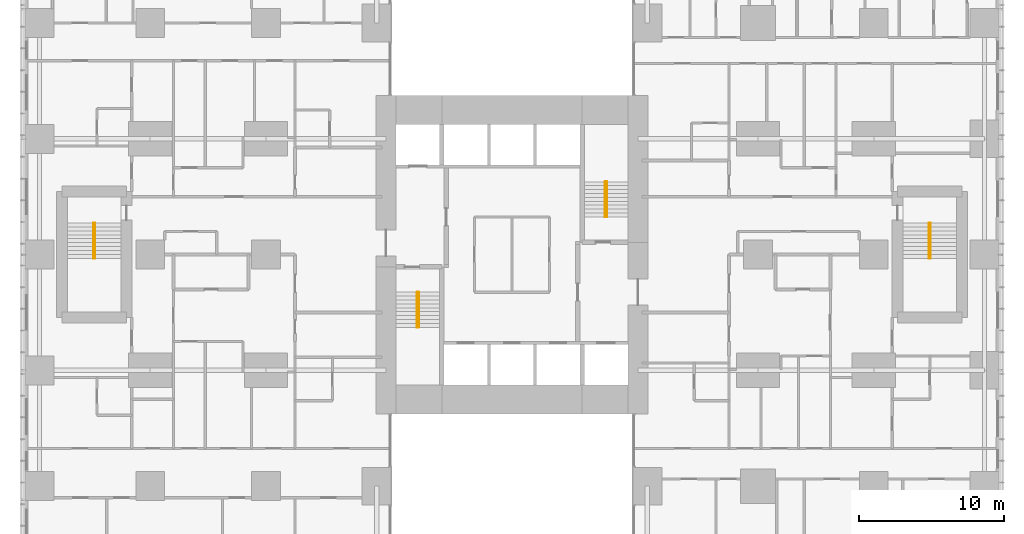
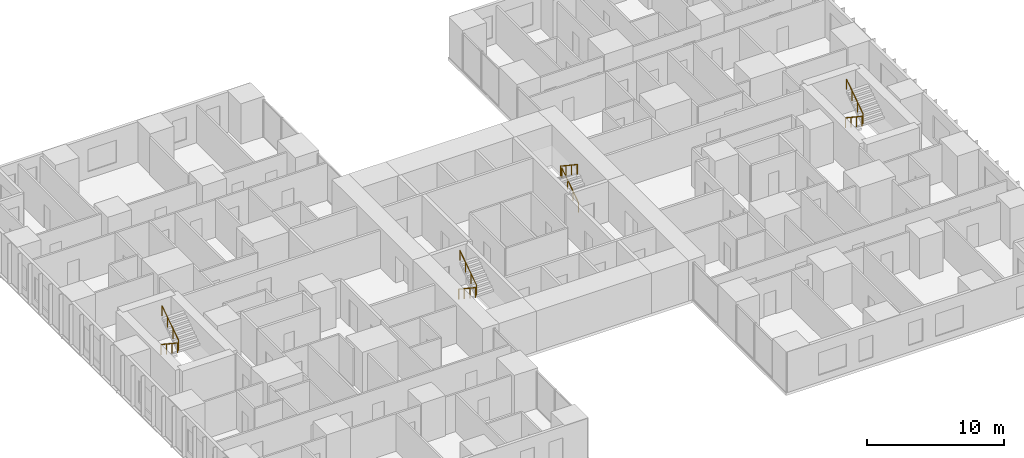
# One storey, part 21 of 21: 8 railings.
"""IFC4 building model written with IfcOpenShell, lengths in metres."""

from ifc_helpers import new_model, si_unit, direction, frame, origin, origin_2d, place, context, subcontext, project, spatial, circle, extrude, material, type_object, element, save


model = new_model("IFC4")

# Units and contexts
model_context = context("Model", 3, precision=1e-05, world=origin(), true_north=direction((0.0, 1.0)))
body_context = subcontext(model_context, "Body", "Model", "MODEL_VIEW")
ifc_project = project(units=[si_unit("LENGTHUNIT", "METRE"), si_unit("AREAUNIT", "SQUARE_METRE"), si_unit("VOLUMEUNIT", "CUBIC_METRE"), si_unit("PLANEANGLEUNIT", "RADIAN"), si_unit("MASSUNIT", "GRAM", prefix="KILO")], contexts=[model_context])

# Site, building, storey
site_placement = place(None, origin())
site = spatial("IfcSite", under=ifc_project, at=site_placement, CompositionType="ELEMENT")
building_placement = place(site_placement, origin())
building = spatial("IfcBuilding", under=site, at=building_placement, Name="Cleftline Residences", CompositionType="ELEMENT")
storey_placement = place(building_placement, frame((0.0, 0.0, 65.60009765625)))
storey = spatial("IfcBuildingStorey", under=building, at=storey_placement, Name="L16", CompositionType="ELEMENT", Elevation=65.60009765625)

# Railings
ifc_material = material(Name="Stainless steel", Category="steel")
railing_type = type_object("IfcRailingType", Name="HANDRAIL 900", PredefinedType="HANDRAIL", material=ifc_material)
railing_1_placement = place(storey_placement, frame((26.449951171875, 21.39990234375, 0.179931640625)))
element("IfcRailing", 1, at=railing_1_placement, inside=storey, type_object=railing_type, Name="Stair handrail", PredefinedType="HANDRAIL", context=body_context, shape_type="SweptSolid", body=[
    extrude(circle(Radius=0.02392578125, at=origin_2d()), frame((0.0, 0.0, 0.8759765625), z_axis=(0.0, -0.832063155534, 0.554680903946), x_axis=(1.0, 0.0, 0.0)), (0.0, 0.0, 1.0), 2.92041015625),
    extrude(circle(Radius=0.02099609375, at=origin_2d()), origin(), (0.0, 0.0, 1.0), 0.851806640625),
    extrude(circle(Radius=0.02099609375, at=origin_2d()), frame((0.0, -0.81005859375, 0.5400390625)), (0.0, 0.0, 1.0), 0.851806640625),
    extrude(circle(Radius=0.02099609375, at=origin_2d()), frame((0.0, -1.619873046875, 1.079833984375)), (0.0, 0.0, 1.0), 0.851806640625),
    extrude(circle(Radius=0.02099609375, at=origin_2d()), frame((0.0, -2.429931640625, 1.619873046875)), (0.0, 0.0, 1.0), 0.851806640625),
])
for number, where, name in (
    (2, (26.550048828125, 18.969970703125, 1.97998046875), "Stair handrail"),
    (3, (39.550048828125, 26.60009765625, 0.179931640625), "Stair handrail"),
):
    element("IfcRailing", number, at=place(storey_placement, frame(where)), inside=storey, type_object=railing_type, Name=name, PredefinedType="HANDRAIL", context=body_context, shape_type="SweptSolid", body=[
        extrude(circle(Radius=0.02392578125, at=origin_2d()), frame((0.0, 0.0, 0.8759765625), z_axis=(0.0, 0.832063155534, 0.554680903946), x_axis=(-1.0, 0.0, 0.0)), (0.0, 0.0, 1.0), 2.92041015625),
        extrude(circle(Radius=0.02099609375, at=origin_2d()), origin(), (0.0, 0.0, 1.0), 0.851806640625),
        extrude(circle(Radius=0.02099609375, at=origin_2d()), frame((0.0, 0.81005859375, 0.5400390625)), (0.0, 0.0, 1.0), 0.851806640625),
        extrude(circle(Radius=0.02099609375, at=origin_2d()), frame((0.0, 1.619873046875, 1.079833984375)), (0.0, 0.0, 1.0), 0.851806640625),
        extrude(circle(Radius=0.02099609375, at=origin_2d()), frame((0.0, 2.429931640625, 1.619873046875)), (0.0, 0.0, 1.0), 0.851806640625),
    ])
for number, where, name in (
    (4, (39.449951171875, 29.030029296875, 1.97998046875), "Stair handrail"),
    (5, (61.824951171875, 26.175048828125, 0.179931640625), "Stair handrail"),
):
    element("IfcRailing", number, at=place(storey_placement, frame(where)), inside=storey, type_object=railing_type, Name=name, PredefinedType="HANDRAIL", context=body_context, shape_type="SweptSolid", body=[
        extrude(circle(Radius=0.02392578125, at=origin_2d()), frame((0.0, 0.0, 0.8759765625), z_axis=(0.0, -0.832063155534, 0.554680903946), x_axis=(1.0, 0.0, 0.0)), (0.0, 0.0, 1.0), 2.92041015625),
        extrude(circle(Radius=0.02099609375, at=origin_2d()), origin(), (0.0, 0.0, 1.0), 0.851806640625),
        extrude(circle(Radius=0.02099609375, at=origin_2d()), frame((0.0, -0.81005859375, 0.5400390625)), (0.0, 0.0, 1.0), 0.851806640625),
        extrude(circle(Radius=0.02099609375, at=origin_2d()), frame((0.0, -1.619873046875, 1.079833984375)), (0.0, 0.0, 1.0), 0.851806640625),
        extrude(circle(Radius=0.02099609375, at=origin_2d()), frame((0.0, -2.429931640625, 1.619873046875)), (0.0, 0.0, 1.0), 0.851806640625),
    ])
railing_2_placement = place(storey_placement, frame((61.925048828125, 23.7451171875, 1.97998046875)))
element("IfcRailing", 6, at=railing_2_placement, inside=storey, type_object=railing_type, Name="Stair handrail", PredefinedType="HANDRAIL", context=body_context, shape_type="SweptSolid", body=[
    extrude(circle(Radius=0.02392578125, at=origin_2d()), frame((0.0, 0.0, 0.8759765625), z_axis=(0.0, 0.832063155534, 0.554680903946), x_axis=(-1.0, 0.0, 0.0)), (0.0, 0.0, 1.0), 2.92041015625),
    extrude(circle(Radius=0.02099609375, at=origin_2d()), origin(), (0.0, 0.0, 1.0), 0.851806640625),
    extrude(circle(Radius=0.02099609375, at=origin_2d()), frame((0.0, 0.81005859375, 0.5400390625)), (0.0, 0.0, 1.0), 0.851806640625),
    extrude(circle(Radius=0.02099609375, at=origin_2d()), frame((0.0, 1.619873046875, 1.079833984375)), (0.0, 0.0, 1.0), 0.851806640625),
    extrude(circle(Radius=0.02099609375, at=origin_2d()), frame((0.0, 2.429931640625, 1.619873046875)), (0.0, 0.0, 1.0), 0.851806640625),
])
railing_3_placement = place(storey_placement, frame((4.074951171875, 26.175048828125, 0.179931640625)))
element("IfcRailing", 7, at=railing_3_placement, inside=storey, type_object=railing_type, Name="Stair handrail", PredefinedType="HANDRAIL", context=body_context, shape_type="SweptSolid", body=[
    extrude(circle(Radius=0.02392578125, at=origin_2d()), frame((0.0, 0.0, 0.8759765625), z_axis=(0.0, -0.832063155534, 0.554680903946), x_axis=(1.0, 0.0, 0.0)), (0.0, 0.0, 1.0), 2.92041015625),
    extrude(circle(Radius=0.02099609375, at=origin_2d()), origin(), (0.0, 0.0, 1.0), 0.851806640625),
    extrude(circle(Radius=0.02099609375, at=origin_2d()), frame((0.0, -0.81005859375, 0.5400390625)), (0.0, 0.0, 1.0), 0.851806640625),
    extrude(circle(Radius=0.02099609375, at=origin_2d()), frame((0.0, -1.619873046875, 1.079833984375)), (0.0, 0.0, 1.0), 0.851806640625),
    extrude(circle(Radius=0.02099609375, at=origin_2d()), frame((0.0, -2.429931640625, 1.619873046875)), (0.0, 0.0, 1.0), 0.851806640625),
])
railing_4_placement = place(storey_placement, frame((4.175048828125, 23.7451171875, 1.97998046875)))
element("IfcRailing", 8, at=railing_4_placement, inside=storey, type_object=railing_type, Name="Stair handrail", PredefinedType="HANDRAIL", context=body_context, shape_type="SweptSolid", body=[
    extrude(circle(Radius=0.02392578125, at=origin_2d()), frame((0.0, 0.0, 0.8759765625), z_axis=(0.0, 0.832063155534, 0.554680903946), x_axis=(-1.0, 0.0, 0.0)), (0.0, 0.0, 1.0), 2.92041015625),
    extrude(circle(Radius=0.02099609375, at=origin_2d()), origin(), (0.0, 0.0, 1.0), 0.851806640625),
    extrude(circle(Radius=0.02099609375, at=origin_2d()), frame((0.0, 0.81005859375, 0.5400390625)), (0.0, 0.0, 1.0), 0.851806640625),
    extrude(circle(Radius=0.02099609375, at=origin_2d()), frame((0.0, 1.619873046875, 1.079833984375)), (0.0, 0.0, 1.0), 0.851806640625),
    extrude(circle(Radius=0.02099609375, at=origin_2d()), frame((0.0, 2.429931640625, 1.619873046875)), (0.0, 0.0, 1.0), 0.851806640625),
])

save(model, "model.ifc")
